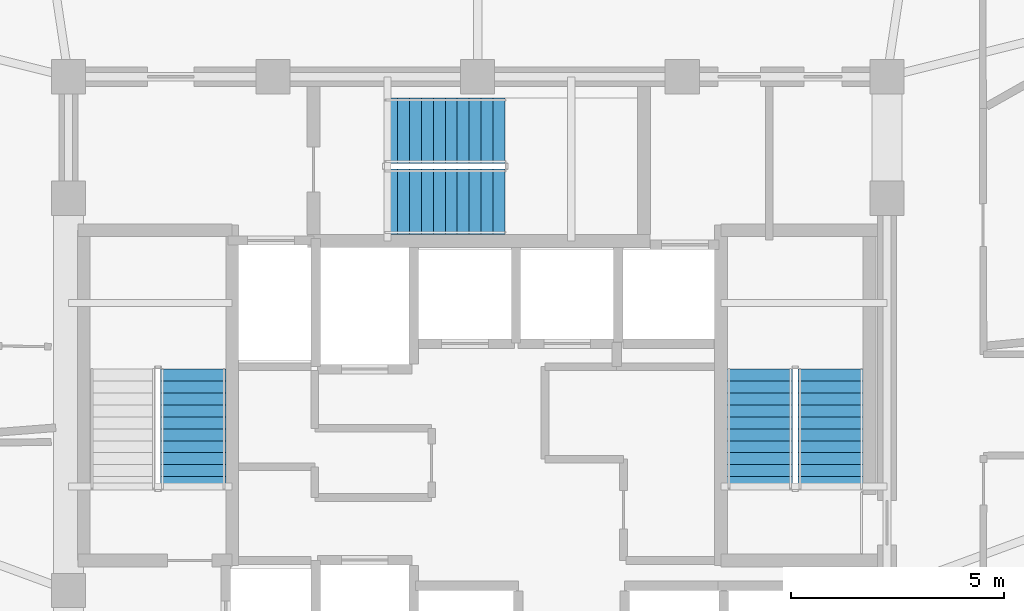
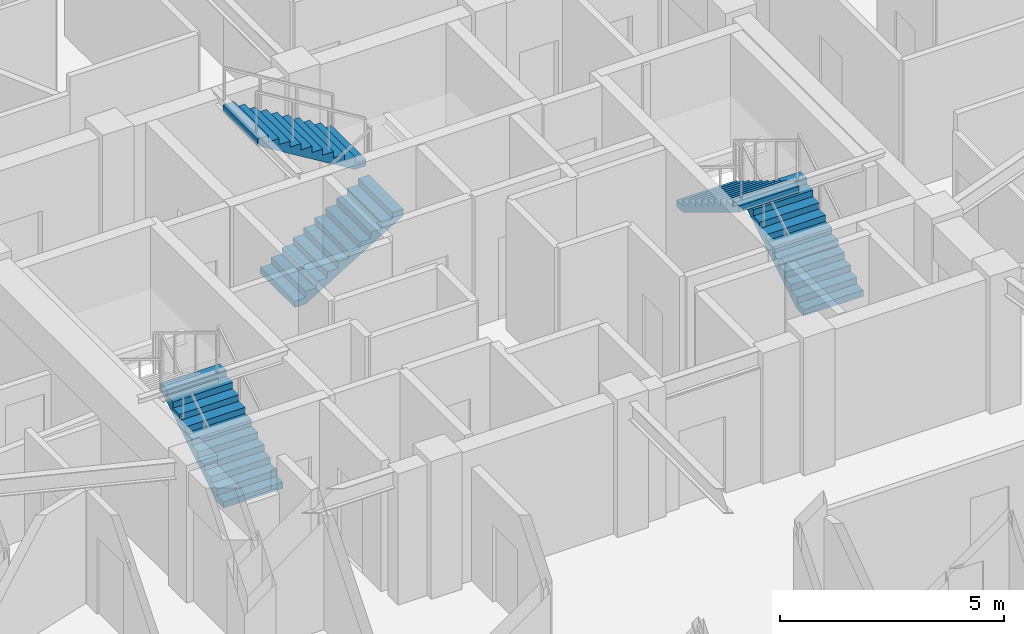
# One storey, part 14 of 18: 5 stair flights, 3 elements without a shape of their own.
"""IFC4 building model written with IfcOpenShell, lengths in metres."""

from ifc_helpers import new_model, si_unit, direction, frame, origin, place, context, subcontext, project, spatial, polyline, outline, extrude, material, type_object, element, aggregate, save


model = new_model("IFC4")

# Units and contexts
model_context = context("Model", 3, precision=1e-05, world=origin(), true_north=direction((0.0, 1.0)))
body_context = subcontext(model_context, "Body", "Model", "MODEL_VIEW")
ifc_project = project(units=[si_unit("LENGTHUNIT", "METRE"), si_unit("AREAUNIT", "SQUARE_METRE"), si_unit("VOLUMEUNIT", "CUBIC_METRE"), si_unit("PLANEANGLEUNIT", "RADIAN"), si_unit("MASSUNIT", "GRAM", prefix="KILO")], contexts=[model_context])

# Site, building, storey
site_placement = place(None, origin())
site = spatial("IfcSite", under=ifc_project, at=site_placement, CompositionType="ELEMENT")
building_placement = place(site_placement, origin())
building = spatial("IfcBuilding", under=site, at=building_placement, Name="Vantalir Tower", CompositionType="ELEMENT")
storey_placement = place(building_placement, frame((0.0, 0.0, 212.39990234375)))
storey = spatial("IfcBuildingStorey", under=building, at=storey_placement, Name="L53", CompositionType="ELEMENT", Elevation=212.39990234375)

# Stair, stair flight
ifc_material = material(Name="Concrete C40/50", Category="concrete")
stair_type = type_object("IfcStairType", Name="STR-CORE-1450", PredefinedType="HALF_TURN_STAIR", material=ifc_material)
stair_1_placement = place(storey_placement, origin())
stair_1 = element("IfcStair", 1, at=stair_1_placement, inside=storey, type_object=stair_type, Name="L53 Core Exit Stair 1", PredefinedType="HALF_TURN_STAIR")
stair_flight_type = type_object("IfcStairFlightType", Name="FLT-CORE-1450", PredefinedType="STRAIGHT", material=ifc_material)
stair_flight_1_placement = place(storey_placement, frame((24.830078125, 22.7900390625, 0.0), z_axis=(0.0, 0.0, 1.0), x_axis=(0.0, 1.0, 0.0)))
stair_flight_1 = element("IfcStairFlight", 2, at=stair_flight_1_placement, type_object=stair_flight_type, Name="ST1 flight 1", NumberOfRisers=11, NumberOfTreads=10, PredefinedType="STRAIGHT", RiserHeight=0.170454545, TreadLength=0.28, context=body_context, shape_type="SweptSolid", body=[
    extrude(outline(polyline([(0.0, 0.0), (0.0, 0.17041015625), (0.280029296875, 0.17041015625), (0.280029296875, 0.3408203125), (0.56005859375, 0.3408203125), (0.56005859375, 0.511474609375), (0.840087890625, 0.511474609375), (0.840087890625, 0.681884765625), (1.1201171875, 0.681884765625), (1.1201171875, 0.852294921875), (1.39990234375, 0.852294921875), (1.39990234375, 1.022705078125), (1.679931640625, 1.022705078125), (1.679931640625, 1.193115234375), (1.9599609375, 1.193115234375), (1.9599609375, 1.363525390625), (2.239990234375, 1.363525390625), (2.239990234375, 1.5341796875), (2.52001953125, 1.5341796875), (2.52001953125, 1.70458984375), (2.800048828125, 1.70458984375), (2.800048828125, 1.875), (2.800048828125, 1.529052734375), (0.288330078125, 0.0), (0.0, 0.0)])), frame((0.0, 0.77001953125, 0.0), z_axis=(0.0, -1.0, 0.0), x_axis=(1.0, 0.0, 0.0)), (0.0, 0.0, 1.0), 1.5400390625),
])
aggregate(stair_1, [stair_flight_1])

# Stair, stair flights
stair_2_placement = place(storey_placement, origin())
stair_2 = element("IfcStair", 3, at=stair_2_placement, inside=storey, type_object=stair_type, Name="L53 Core Exit Stair 2", PredefinedType="HALF_TURN_STAIR")
stair_flight_2_placement = place(storey_placement, frame((39.780029296875, 22.7900390625, 0.0), z_axis=(0.0, 0.0, 1.0), x_axis=(0.0, 1.0, 0.0)))
stair_flight_2 = element("IfcStairFlight", 4, at=stair_flight_2_placement, type_object=stair_flight_type, Name="ST2 flight 1", NumberOfRisers=11, NumberOfTreads=10, PredefinedType="STRAIGHT", RiserHeight=0.170454545, TreadLength=0.28, context=body_context, shape_type="SweptSolid", body=[
    extrude(outline(polyline([(0.0, 0.0), (0.0, 0.17041015625), (0.280029296875, 0.17041015625), (0.280029296875, 0.3408203125), (0.56005859375, 0.3408203125), (0.56005859375, 0.511474609375), (0.840087890625, 0.511474609375), (0.840087890625, 0.681884765625), (1.1201171875, 0.681884765625), (1.1201171875, 0.852294921875), (1.39990234375, 0.852294921875), (1.39990234375, 1.022705078125), (1.679931640625, 1.022705078125), (1.679931640625, 1.193115234375), (1.9599609375, 1.193115234375), (1.9599609375, 1.363525390625), (2.239990234375, 1.363525390625), (2.239990234375, 1.5341796875), (2.52001953125, 1.5341796875), (2.52001953125, 1.70458984375), (2.800048828125, 1.70458984375), (2.800048828125, 1.875), (2.800048828125, 1.529052734375), (0.288330078125, 0.0), (0.0, 0.0)])), frame((0.0, 0.77001953125, 0.0), z_axis=(0.0, -1.0, 0.0), x_axis=(1.0, 0.0, 0.0)), (0.0, 0.0, 1.0), 1.5400390625),
])
stair_flight_3_placement = place(storey_placement, frame((38.1201171875, 25.590087890625, 1.875), z_axis=(0.0, 0.0, 1.0), x_axis=(0.0, -1.0, 0.0)))
stair_flight_3 = element("IfcStairFlight", 5, at=stair_flight_3_placement, type_object=stair_flight_type, Name="ST2 flight 2", NumberOfRisers=11, NumberOfTreads=10, PredefinedType="STRAIGHT", RiserHeight=0.170454545, TreadLength=0.28, context=body_context, shape_type="SweptSolid", body=[
    extrude(outline(polyline([(0.0, 0.0), (0.0, 0.17041015625), (0.280029296875, 0.17041015625), (0.280029296875, 0.3408203125), (0.56005859375, 0.3408203125), (0.56005859375, 0.511474609375), (0.840087890625, 0.511474609375), (0.840087890625, 0.681884765625), (1.1201171875, 0.681884765625), (1.1201171875, 0.852294921875), (1.39990234375, 0.852294921875), (1.39990234375, 1.022705078125), (1.679931640625, 1.022705078125), (1.679931640625, 1.193115234375), (1.9599609375, 1.193115234375), (1.9599609375, 1.363525390625), (2.239990234375, 1.363525390625), (2.239990234375, 1.5341796875), (2.52001953125, 1.5341796875), (2.52001953125, 1.70458984375), (2.800048828125, 1.70458984375), (2.800048828125, 1.875), (2.800048828125, 1.529052734375), (0.288330078125, 0.0), (0.0, 0.0)])), frame((0.0, 0.77001953125, 0.0), z_axis=(0.0, -1.0, 0.0), x_axis=(1.0, 0.0, 0.0)), (0.0, 0.0, 1.0), 1.5400390625),
])
aggregate(stair_2, [stair_flight_2, stair_flight_3])

stair_3_placement = place(storey_placement, origin())
stair_3 = element("IfcStair", 6, at=stair_3_placement, inside=storey, type_object=stair_type, Name="L53 Core Exit Stair 3", PredefinedType="HALF_TURN_STAIR")
stair_flight_4_placement = place(storey_placement, frame((29.340087890625, 29.52001953125, 0.0), z_axis=(0.0, 0.0, 1.0), x_axis=(1.0, 0.0, 0.0)))
stair_flight_4 = element("IfcStairFlight", 7, at=stair_flight_4_placement, type_object=stair_flight_type, Name="ST3 flight 1", NumberOfRisers=11, NumberOfTreads=10, PredefinedType="STRAIGHT", RiserHeight=0.170454545, TreadLength=0.28, context=body_context, shape_type="SweptSolid", body=[
    extrude(outline(polyline([(0.0, 0.0), (0.0, 0.17041015625), (0.280029296875, 0.17041015625), (0.280029296875, 0.3408203125), (0.56005859375, 0.3408203125), (0.56005859375, 0.511474609375), (0.840087890625, 0.511474609375), (0.840087890625, 0.681884765625), (1.1201171875, 0.681884765625), (1.1201171875, 0.852294921875), (1.39990234375, 0.852294921875), (1.39990234375, 1.022705078125), (1.679931640625, 1.022705078125), (1.679931640625, 1.193115234375), (1.9599609375, 1.193115234375), (1.9599609375, 1.363525390625), (2.239990234375, 1.363525390625), (2.239990234375, 1.5341796875), (2.52001953125, 1.5341796875), (2.52001953125, 1.70458984375), (2.800048828125, 1.70458984375), (2.800048828125, 1.875), (2.800048828125, 1.529052734375), (0.288330078125, 0.0), (0.0, 0.0)])), frame((0.0, 0.77001953125, 0.0), z_axis=(0.0, -1.0, 0.0), x_axis=(1.0, 0.0, 0.0)), (0.0, 0.0, 1.0), 1.5400390625),
])
stair_flight_5_placement = place(storey_placement, frame((32.139892578125, 31.179931640625, 1.875), z_axis=(0.0, 0.0, 1.0), x_axis=(-1.0, 0.0, 0.0)))
stair_flight_5 = element("IfcStairFlight", 8, at=stair_flight_5_placement, type_object=stair_flight_type, Name="ST3 flight 2", NumberOfRisers=11, NumberOfTreads=10, PredefinedType="STRAIGHT", RiserHeight=0.170454545, TreadLength=0.28, context=body_context, shape_type="SweptSolid", body=[
    extrude(outline(polyline([(0.0, 0.0), (0.0, 0.17041015625), (0.280029296875, 0.17041015625), (0.280029296875, 0.3408203125), (0.56005859375, 0.3408203125), (0.56005859375, 0.511474609375), (0.840087890625, 0.511474609375), (0.840087890625, 0.681884765625), (1.1201171875, 0.681884765625), (1.1201171875, 0.852294921875), (1.39990234375, 0.852294921875), (1.39990234375, 1.022705078125), (1.679931640625, 1.022705078125), (1.679931640625, 1.193115234375), (1.9599609375, 1.193115234375), (1.9599609375, 1.363525390625), (2.239990234375, 1.363525390625), (2.239990234375, 1.5341796875), (2.52001953125, 1.5341796875), (2.52001953125, 1.70458984375), (2.800048828125, 1.70458984375), (2.800048828125, 1.875), (2.800048828125, 1.529052734375), (0.288330078125, 0.0), (0.0, 0.0)])), frame((0.0, 0.77001953125, 0.0), z_axis=(0.0, -1.0, 0.0), x_axis=(1.0, 0.0, 0.0)), (0.0, 0.0, 1.0), 1.5400390625),
])
aggregate(stair_3, [stair_flight_4, stair_flight_5])

save(model, "model.ifc")
